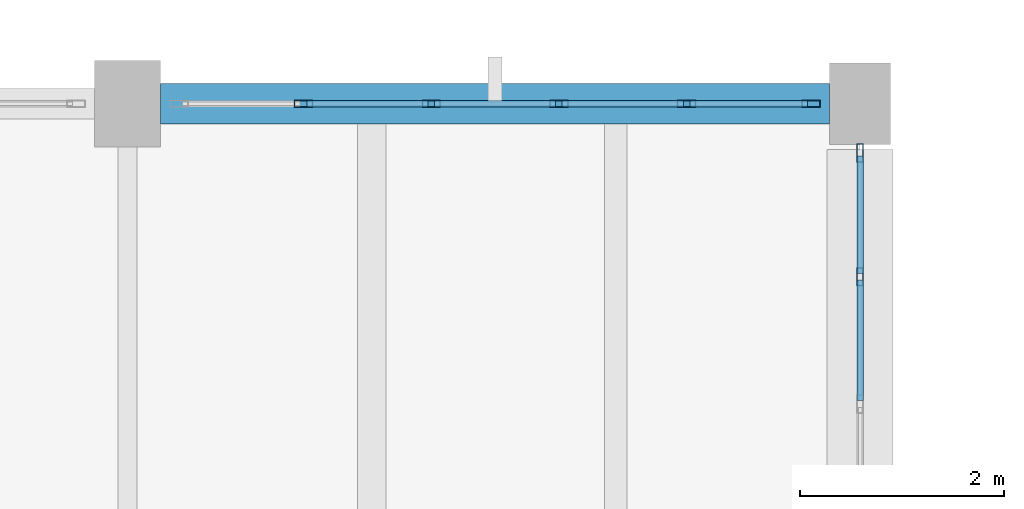
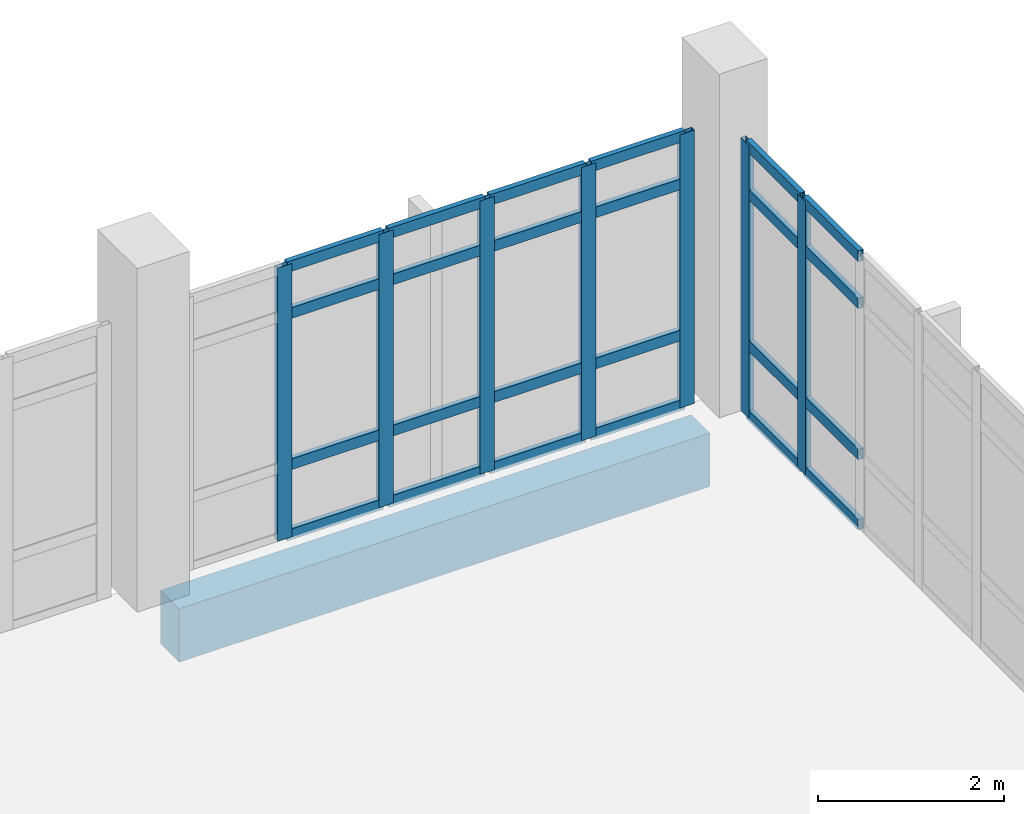
# One storey, part 79 of 134: 31 members, 1 beam, 2 elements without a shape of their own.
"""IFC4 building model written with IfcOpenShell, lengths in metres."""

import ifcopenshell
import ifcopenshell.guid

model = None  # the IFC model being written
_history = None  # IfcOwnerHistory: only IFC2X3 demands one
_inside = {}  # id of a spatial element -> (the spatial element, [elements in it])
_under = {}  # id of a project, library or spatial element -> (it, [spatial elements below it])
_declared = {}  # id of a project -> (the project, [libraries it declares])
_typed = {}  # id of a type object -> (the type object, [elements of that type])
_made_of = {}  # id of a material, layer set ... -> (it, [elements and type objects made of it])


def new_model(schema):
    """Start an empty IFC model of exactly this schema.

    Asked for "IFC4X3", IfcOpenShell would pick the latest addendum, in which some entities
    have other attributes; the version numbers below select the first issue.
    IFC2X3 requires an IfcOwnerHistory on every rooted entity: one is made here for all.
    """
    global model, _history
    if schema == "IFC4X3":
        model = ifcopenshell.file(schema_version=(4, 3, 0, 0))
    else:
        model = ifcopenshell.file(schema=schema)
    _inside.clear()
    _under.clear()
    _declared.clear()
    _typed.clear()
    _made_of.clear()
    _history = None
    if model.schema == "IFC2X3":
        org = make("IfcOrganization", Name="unknown")
        user = make(
            "IfcPersonAndOrganization",
            ThePerson=make("IfcPerson", FamilyName="unknown"),
            TheOrganization=org,
        )
        app = make(
            "IfcApplication",
            ApplicationDeveloper=org,
            Version="unknown",
            ApplicationFullName="unknown",
            ApplicationIdentifier="unknown",
        )
        _history = make(
            "IfcOwnerHistory",
            OwningUser=user,
            OwningApplication=app,
            ChangeAction="ADDED",
            CreationDate=0,
        )
    return model


def make(cls, **values):
    """One entity of the class cls with the attributes given. An attribute that is None is left unset."""
    return model.create_entity(
        cls, **{name: value for name, value in values.items() if value is not None}
    )


def rooted(cls, **values):
    """An entity with a GlobalId (a new one), such as an element, a storey or a relation."""
    return make(cls, GlobalId=ifcopenshell.guid.new(), OwnerHistory=_history, **values)


def si_unit(unit_type, name, prefix=None):
    """IfcSIUnit, for example si_unit("LENGTHUNIT", "METRE", prefix="MILLI")."""
    return make("IfcSIUnit", UnitType=unit_type, Prefix=prefix, Name=name)


def assignment(units):
    """IfcUnitAssignment: the units of a project."""
    return None if units is None else make("IfcUnitAssignment", Units=units)


def point(xyz):
    """IfcCartesianPoint."""
    return None if xyz is None else make("IfcCartesianPoint", Coordinates=xyz)


def direction(xyz):
    """IfcDirection."""
    return None if xyz is None else make("IfcDirection", DirectionRatios=xyz)


def frame(location, z_axis=None, x_axis=None):
    """IfcAxis2Placement3D, a coordinate frame: its origin and axes. An axis left out is left unset."""
    return make(
        "IfcAxis2Placement3D",
        Location=point(location),
        Axis=direction(z_axis),
        RefDirection=direction(x_axis),
    )


def frame_2d(location, x_axis=None):
    """IfcAxis2Placement2D, a coordinate frame in the plane: its origin and x axis."""
    return make(
        "IfcAxis2Placement2D", Location=point(location), RefDirection=direction(x_axis)
    )


def origin():
    """The frame at (0, 0, 0) with its axes left unset."""
    return frame((0.0, 0.0, 0.0))


def origin_2d():
    """The frame at (0, 0) in the plane with its x axis left unset."""
    return frame_2d((0.0, 0.0))


def place(relative_to, where):
    """IfcLocalPlacement: puts the frame where relative to a parent placement (None: the world)."""
    return make(
        "IfcLocalPlacement", PlacementRelTo=relative_to, RelativePlacement=where
    )


def context(
    kind, dimensions, precision=None, world=None, true_north=None, identifier=None
):
    """IfcGeometricRepresentationContext, for example the 3D "Model" context."""
    return make(
        "IfcGeometricRepresentationContext",
        ContextIdentifier=identifier,
        ContextType=kind,
        CoordinateSpaceDimension=dimensions,
        Precision=precision,
        WorldCoordinateSystem=world,
        TrueNorth=true_north,
    )


def subcontext(parent, identifier, kind, view, scale=None):
    """IfcGeometricRepresentationSubContext, for example "Body" below "Model"."""
    return make(
        "IfcGeometricRepresentationSubContext",
        ContextIdentifier=identifier,
        ContextType=kind,
        ParentContext=parent,
        TargetScale=scale,
        TargetView=view,
    )


def project(units=None, contexts=None):
    """IfcProject with its units and contexts."""
    return rooted(
        "IfcProject",
        Name="project",
        RepresentationContexts=contexts,
        UnitsInContext=assignment(units),
    )


def spatial(cls, under=None, at=None, **own):
    """A site, building, storey or space (cls), placed at a placement, below another one or the project."""
    s = rooted(cls, ObjectPlacement=at, **own)
    if under is not None:
        _under.setdefault(under.id(), (under, []))[1].append(s)
    return s


def profile(cls, at=None, kind="AREA", **sizes):
    """A parametric profile (cls). Its sizes go by their IFC names, for example OverallWidth=200.0."""
    return make(cls, ProfileType=kind, Position=at, **sizes)


def rectangle(**sizes):
    """IfcRectangleProfileDef."""
    return profile("IfcRectangleProfileDef", **sizes)


def hollow_rectangle(**sizes):
    """IfcRectangleHollowProfileDef."""
    return profile("IfcRectangleHollowProfileDef", **sizes)


def extrude(swept, where, along, depth):
    """IfcExtrudedAreaSolid: the profile swept, set in the frame where, extruded along a direction by depth."""
    return make(
        "IfcExtrudedAreaSolid",
        SweptArea=swept,
        Position=where,
        ExtrudedDirection=direction(along),
        Depth=depth,
    )


def shape(context_of_items, identifier, shape_type, items):
    """IfcShapeRepresentation: the items that make up one representation, for example the "Body"."""
    return make(
        "IfcShapeRepresentation",
        ContextOfItems=context_of_items,
        RepresentationIdentifier=identifier,
        RepresentationType=shape_type,
        Items=items,
    )


def material(Name=None, Category=None):
    """IfcMaterial."""
    return make("IfcMaterial", Name=Name, Category=Category)


def material_profile(
    of_material, cross_section, Name=None, Category=None, Priority=None
):
    """IfcMaterialProfile: a cross section and its material."""
    return make(
        "IfcMaterialProfile",
        Name=Name,
        Material=of_material,
        Profile=cross_section,
        Priority=Priority,
        Category=Category,
    )


def profile_set(profiles, Name=None, composite=None):
    """IfcMaterialProfileSet."""
    return make(
        "IfcMaterialProfileSet",
        Name=Name,
        MaterialProfiles=profiles,
        CompositeProfile=composite,
    )


def made_of(thing, what):
    """Note that an element or type object is made of a material, layer set ...; save() writes the relation."""
    if what is not None:
        _made_of.setdefault(what.id(), (what, []))[1].append(thing)
    return thing


def type_object(cls, material=None, **own):
    """A type object (cls), such as IfcWallType, which elements share."""
    return made_of(rooted(cls, **own), material)


def element(
    cls,
    number,
    at=None,
    inside=None,
    cuts=None,
    type_object=None,
    material=None,
    context=None,
    identifier="Body",
    shape_type=None,
    held_by="IfcProductDefinitionShape",
    body=None,
    shapes=None,
    **own,
):
    """One element of the class cls, such as IfcWall. Its Tag is "e" and its number.

    at: its placement. inside: the storey or other place that contains it. cuts: it is an
    opening in that element (IfcRelVoidsElement). A single representation is given by context,
    identifier, shape_type and body (its items); several are given by shapes. held_by: the class
    of the entity that holds the representations. save() writes the other relations.
    """
    e = rooted(cls, Tag="e%d" % number, ObjectPlacement=at, **own)
    if body is not None:
        shapes = [shape(context, identifier, shape_type, body)]
    if shapes is not None:
        e.Representation = make(held_by, Representations=shapes)
    if inside is not None:
        _inside.setdefault(inside.id(), (inside, []))[1].append(e)
    if cuts is not None:
        rooted(
            "IfcRelVoidsElement", RelatingBuildingElement=cuts, RelatedOpeningElement=e
        )
    if type_object is not None:
        _typed.setdefault(type_object.id(), (type_object, []))[1].append(e)
    return made_of(e, material)


def aggregate(whole, parts):
    """IfcRelAggregates: a whole, such as a stair, and the parts it consists of."""
    return rooted("IfcRelAggregates", RelatingObject=whole, RelatedObjects=parts)


def save(model, path):
    """Write the relations noted so far, then the file.

    IfcRelAggregates (storeys below a building ...), IfcRelContainedInSpatialStructure (elements
    in a storey), IfcRelDefinesByType, IfcRelAssociatesMaterial and IfcRelDeclares: one each for
    every whole, place, type object, material and project.
    """
    for whole, parts in _under.values():
        aggregate(whole, parts)
    for where, things in _inside.values():
        rooted(
            "IfcRelContainedInSpatialStructure",
            RelatedElements=things,
            RelatingStructure=where,
        )
    for kind, things in _typed.values():
        rooted("IfcRelDefinesByType", RelatedObjects=things, RelatingType=kind)
    for what, things in _made_of.values():
        rooted("IfcRelAssociatesMaterial", RelatedObjects=things, RelatingMaterial=what)
    for by, libraries in _declared.values():
        rooted("IfcRelDeclares", RelatingContext=by, RelatedDefinitions=libraries)
    model.write(path)


model = new_model("IFC4")

# Units and contexts
model_context = context("Model", 3, precision=1e-05, world=origin(), true_north=direction((0.0, 1.0)))
body_context = subcontext(model_context, "Body", "Model", "MODEL_VIEW")
ifc_project = project(units=[si_unit("LENGTHUNIT", "METRE"), si_unit("AREAUNIT", "SQUARE_METRE"), si_unit("VOLUMEUNIT", "CUBIC_METRE"), si_unit("PLANEANGLEUNIT", "RADIAN"), si_unit("MASSUNIT", "GRAM", prefix="KILO")], contexts=[model_context])

# Site, building, storey
site_placement = place(None, origin())
site = spatial("IfcSite", under=ifc_project, at=site_placement, CompositionType="ELEMENT")
building_placement = place(site_placement, origin())
building = spatial("IfcBuilding", under=site, at=building_placement, Name="Kalluvel Institute of Natural Sciences", CompositionType="ELEMENT")
storey_placement = place(building_placement, frame((0.0, 0.0, 5.39990234375)))
storey = spatial("IfcBuildingStorey", under=building, at=storey_placement, Name="L01", CompositionType="ELEMENT", Elevation=5.39990234375)

# Curtain wall, members
ifc_material_1 = material(Name="Aluminium AW-6063 T6", Category="aluminium")
curtain_wall_type = type_object("IfcCurtainWallType", Name="CW-WET-45", PredefinedType="USERDEFINED", material=ifc_material_1)
curtain_wall_1_placement = place(storey_placement, origin())
curtain_wall_1 = element("IfcCurtainWall", 1, at=curtain_wall_1_placement, inside=storey, type_object=curtain_wall_type, Name="L01 Gothic lancet curtain wall CWA-L01-X1081-Y1280", ObjectType="UNITISED LANCET FACADE", PredefinedType="USERDEFINED")
ifc_material_profile_1 = material_profile(ifc_material_1, hollow_rectangle(XDim=0.06494140625, YDim=0.179931640625, WallThickness=0.00439453125, at=origin_2d()), Name="CWM 65x180")
ifc_profile_set_1 = profile_set([ifc_material_profile_1], Name="Aluminium AW-6063 T6")
member_type_1 = type_object("IfcMemberType", Name="CWM-65x180", PredefinedType="MULLION", material=ifc_profile_set_1)
member_1_placement = place(storey_placement, frame((109.330078125, 128.0, 0.0), z_axis=(0.0, 0.0, 1.0), x_axis=(0.0, 1.0, 0.0)))
member_1 = element("IfcMember", 2, at=member_1_placement, type_object=member_type_1, Name="CW-01 mullion 2", PredefinedType="MULLION", context=body_context, shape_type="SweptSolid", body=[
    extrude(hollow_rectangle(XDim=0.06494140625, YDim=0.179931640625, WallThickness=0.00439453125, at=origin_2d()), origin(), (0.0, 0.0, 1.0), 3.580078125),
])
member_2_placement = place(storey_placement, frame((110.5849609375, 128.0, 0.0), z_axis=(0.0, 0.0, 1.0), x_axis=(0.0, 1.0, 0.0)))
member_2 = element("IfcMember", 3, at=member_2_placement, type_object=member_type_1, Name="CW-01 mullion 3", PredefinedType="MULLION", context=body_context, shape_type="SweptSolid", body=[
    extrude(hollow_rectangle(XDim=0.06494140625, YDim=0.179931640625, WallThickness=0.00439453125, at=origin_2d()), origin(), (0.0, 0.0, 1.0), 3.580078125),
])
member_3_placement = place(storey_placement, frame((111.840087890625, 128.0, 0.0), z_axis=(0.0, 0.0, 1.0), x_axis=(0.0, 1.0, 0.0)))
member_3 = element("IfcMember", 4, at=member_3_placement, type_object=member_type_1, Name="CW-01 mullion 4", PredefinedType="MULLION", context=body_context, shape_type="SweptSolid", body=[
    extrude(hollow_rectangle(XDim=0.06494140625, YDim=0.179931640625, WallThickness=0.00439453125, at=origin_2d()), origin(), (0.0, 0.0, 1.0), 3.580078125),
])
member_4_placement = place(storey_placement, frame((113.094970703125, 128.0, 0.0), z_axis=(0.0, 0.0, 1.0), x_axis=(0.0, 1.0, 0.0)))
member_4 = element("IfcMember", 5, at=member_4_placement, type_object=member_type_1, Name="CW-01 mullion 5", PredefinedType="MULLION", context=body_context, shape_type="SweptSolid", body=[
    extrude(hollow_rectangle(XDim=0.06494140625, YDim=0.179931640625, WallThickness=0.00439453125, at=origin_2d()), origin(), (0.0, 0.0, 1.0), 3.580078125),
])
member_5_placement = place(storey_placement, frame((114.3173828125, 128.0, 0.0), z_axis=(0.0, 0.0, 1.0), x_axis=(0.0, 1.0, 0.0)))
member_5 = element("IfcMember", 6, at=member_5_placement, type_object=member_type_1, Name="CW-01 mullion 6", PredefinedType="MULLION", context=body_context, shape_type="SweptSolid", body=[
    extrude(hollow_rectangle(XDim=0.06494140625, YDim=0.179931640625, WallThickness=0.00439453125, at=origin_2d()), origin(), (0.0, 0.0, 1.0), 3.580078125),
])

curtain_wall_2_placement = place(storey_placement, origin())
curtain_wall_2 = element("IfcCurtainWall", 7, at=curtain_wall_2_placement, inside=storey, type_object=curtain_wall_type, Name="L01 Gothic lancet curtain wall CWA-L01-X1148-Y1200", ObjectType="UNITISED LANCET FACADE", PredefinedType="USERDEFINED")
member_6_placement = place(storey_placement, frame((114.800048828125, 126.300048828125, 0.0), z_axis=(0.0, 0.0, 1.0), x_axis=(-1.0, 0.0, 0.0)))
member_6 = element("IfcMember", 8, at=member_6_placement, type_object=member_type_1, Name="CW-01 mullion 6", PredefinedType="MULLION", context=body_context, shape_type="SweptSolid", body=[
    extrude(hollow_rectangle(XDim=0.06494140625, YDim=0.179931640625, WallThickness=0.00439453125, at=origin_2d()), origin(), (0.0, 0.0, 1.0), 3.580078125),
])
member_7_placement = place(storey_placement, frame((114.800048828125, 127.517578125, 0.0), z_axis=(0.0, 0.0, 1.0), x_axis=(-1.0, 0.0, 0.0)))
member_7 = element("IfcMember", 9, at=member_7_placement, type_object=member_type_1, Name="CW-01 mullion 7", PredefinedType="MULLION", context=body_context, shape_type="SweptSolid", body=[
    extrude(hollow_rectangle(XDim=0.06494140625, YDim=0.179931640625, WallThickness=0.00439453125, at=origin_2d()), origin(), (0.0, 0.0, 1.0), 3.580078125),
])

# Member
ifc_material_profile_2 = material_profile(ifc_material_1, hollow_rectangle(XDim=0.06494140625, YDim=0.139892578125, WallThickness=0.00439453125, at=origin_2d()), Name="CWT 65x140")
ifc_profile_set_2 = profile_set([ifc_material_profile_2], Name="Aluminium AW-6063 T6")
member_type_2 = type_object("IfcMemberType", Name="CWT-65x140", PredefinedType="USERDEFINED", material=ifc_profile_set_2)
member_8_placement = place(storey_placement, frame((109.362548828125, 128.0, 0.03271484375), z_axis=(1.0, 0.0, 0.0), x_axis=(0.0, 1.0, 0.0)))
member_8 = element("IfcMember", 10, at=member_8_placement, type_object=member_type_2, Name="CW-01 transom 2.1", ObjectType="TRANSOM", PredefinedType="USERDEFINED", context=body_context, shape_type="SweptSolid", body=[
    extrude(hollow_rectangle(XDim=0.06494140625, YDim=0.139892578125, WallThickness=0.00439453125, at=origin_2d()), origin(), (0.0, 0.0, 1.0), 1.18994140625),
])

member_9_placement = place(storey_placement, frame((109.362548828125, 128.0, 0.9501953125), z_axis=(1.0, 0.0, 0.0), x_axis=(0.0, 1.0, 0.0)))
member_9 = element("IfcMember", 11, at=member_9_placement, type_object=member_type_2, Name="CW-01 transom 2.2", ObjectType="TRANSOM", PredefinedType="USERDEFINED", context=body_context, shape_type="SweptSolid", body=[
    extrude(hollow_rectangle(XDim=0.06494140625, YDim=0.139892578125, WallThickness=0.00439453125, at=origin_2d()), origin(), (0.0, 0.0, 1.0), 1.18994140625),
])

member_10_placement = place(storey_placement, frame((109.362548828125, 128.0, 2.93017578125), z_axis=(1.0, 0.0, 0.0), x_axis=(0.0, 1.0, 0.0)))
member_10 = element("IfcMember", 12, at=member_10_placement, type_object=member_type_2, Name="CW-01 transom 2.3", ObjectType="TRANSOM", PredefinedType="USERDEFINED", context=body_context, shape_type="SweptSolid", body=[
    extrude(hollow_rectangle(XDim=0.06494140625, YDim=0.139892578125, WallThickness=0.00439453125, at=origin_2d()), origin(), (0.0, 0.0, 1.0), 1.18994140625),
])

member_11_placement = place(storey_placement, frame((109.362548828125, 128.0, 3.547607421875), z_axis=(1.0, 0.0, 0.0), x_axis=(0.0, 1.0, 0.0)))
member_11 = element("IfcMember", 13, at=member_11_placement, type_object=member_type_2, Name="CW-01 transom 2.4", ObjectType="TRANSOM", PredefinedType="USERDEFINED", context=body_context, shape_type="SweptSolid", body=[
    extrude(hollow_rectangle(XDim=0.06494140625, YDim=0.139892578125, WallThickness=0.00439453125, at=origin_2d()), origin(), (0.0, 0.0, 1.0), 1.18994140625),
])

member_12_placement = place(storey_placement, frame((110.617431640625, 128.0, 0.03271484375), z_axis=(1.0, 0.0, 0.0), x_axis=(0.0, 1.0, 0.0)))
member_12 = element("IfcMember", 14, at=member_12_placement, type_object=member_type_2, Name="CW-01 transom 3.1", ObjectType="TRANSOM", PredefinedType="USERDEFINED", context=body_context, shape_type="SweptSolid", body=[
    extrude(hollow_rectangle(XDim=0.06494140625, YDim=0.139892578125, WallThickness=0.00439453125, at=origin_2d()), origin(), (0.0, 0.0, 1.0), 1.190185546875),
])

member_13_placement = place(storey_placement, frame((110.617431640625, 128.0, 0.9501953125), z_axis=(1.0, 0.0, 0.0), x_axis=(0.0, 1.0, 0.0)))
member_13 = element("IfcMember", 15, at=member_13_placement, type_object=member_type_2, Name="CW-01 transom 3.2", ObjectType="TRANSOM", PredefinedType="USERDEFINED", context=body_context, shape_type="SweptSolid", body=[
    extrude(hollow_rectangle(XDim=0.06494140625, YDim=0.139892578125, WallThickness=0.00439453125, at=origin_2d()), origin(), (0.0, 0.0, 1.0), 1.190185546875),
])

member_14_placement = place(storey_placement, frame((110.617431640625, 128.0, 2.93017578125), z_axis=(1.0, 0.0, 0.0), x_axis=(0.0, 1.0, 0.0)))
member_14 = element("IfcMember", 16, at=member_14_placement, type_object=member_type_2, Name="CW-01 transom 3.3", ObjectType="TRANSOM", PredefinedType="USERDEFINED", context=body_context, shape_type="SweptSolid", body=[
    extrude(hollow_rectangle(XDim=0.06494140625, YDim=0.139892578125, WallThickness=0.00439453125, at=origin_2d()), origin(), (0.0, 0.0, 1.0), 1.190185546875),
])

member_15_placement = place(storey_placement, frame((110.617431640625, 128.0, 3.547607421875), z_axis=(1.0, 0.0, 0.0), x_axis=(0.0, 1.0, 0.0)))
member_15 = element("IfcMember", 17, at=member_15_placement, type_object=member_type_2, Name="CW-01 transom 3.4", ObjectType="TRANSOM", PredefinedType="USERDEFINED", context=body_context, shape_type="SweptSolid", body=[
    extrude(hollow_rectangle(XDim=0.06494140625, YDim=0.139892578125, WallThickness=0.00439453125, at=origin_2d()), origin(), (0.0, 0.0, 1.0), 1.190185546875),
])

member_16_placement = place(storey_placement, frame((111.87255859375, 128.0, 0.03271484375), z_axis=(1.0, 0.0, 0.0), x_axis=(0.0, 1.0, 0.0)))
member_16 = element("IfcMember", 18, at=member_16_placement, type_object=member_type_2, Name="CW-01 transom 4.1", ObjectType="TRANSOM", PredefinedType="USERDEFINED", context=body_context, shape_type="SweptSolid", body=[
    extrude(hollow_rectangle(XDim=0.06494140625, YDim=0.139892578125, WallThickness=0.00439453125, at=origin_2d()), origin(), (0.0, 0.0, 1.0), 1.18994140625),
])

member_17_placement = place(storey_placement, frame((111.87255859375, 128.0, 0.9501953125), z_axis=(1.0, 0.0, 0.0), x_axis=(0.0, 1.0, 0.0)))
member_17 = element("IfcMember", 19, at=member_17_placement, type_object=member_type_2, Name="CW-01 transom 4.2", ObjectType="TRANSOM", PredefinedType="USERDEFINED", context=body_context, shape_type="SweptSolid", body=[
    extrude(hollow_rectangle(XDim=0.06494140625, YDim=0.139892578125, WallThickness=0.00439453125, at=origin_2d()), origin(), (0.0, 0.0, 1.0), 1.18994140625),
])

member_18_placement = place(storey_placement, frame((111.87255859375, 128.0, 2.93017578125), z_axis=(1.0, 0.0, 0.0), x_axis=(0.0, 1.0, 0.0)))
member_18 = element("IfcMember", 20, at=member_18_placement, type_object=member_type_2, Name="CW-01 transom 4.3", ObjectType="TRANSOM", PredefinedType="USERDEFINED", context=body_context, shape_type="SweptSolid", body=[
    extrude(hollow_rectangle(XDim=0.06494140625, YDim=0.139892578125, WallThickness=0.00439453125, at=origin_2d()), origin(), (0.0, 0.0, 1.0), 1.18994140625),
])

member_19_placement = place(storey_placement, frame((111.87255859375, 128.0, 3.547607421875), z_axis=(1.0, 0.0, 0.0), x_axis=(0.0, 1.0, 0.0)))
member_19 = element("IfcMember", 21, at=member_19_placement, type_object=member_type_2, Name="CW-01 transom 4.4", ObjectType="TRANSOM", PredefinedType="USERDEFINED", context=body_context, shape_type="SweptSolid", body=[
    extrude(hollow_rectangle(XDim=0.06494140625, YDim=0.139892578125, WallThickness=0.00439453125, at=origin_2d()), origin(), (0.0, 0.0, 1.0), 1.18994140625),
])

member_20_placement = place(storey_placement, frame((113.12744140625, 128.0, 0.03271484375), z_axis=(1.0, 0.0, 0.0), x_axis=(0.0, 1.0, 0.0)))
member_20 = element("IfcMember", 22, at=member_20_placement, type_object=member_type_2, Name="CW-01 transom 5.1", ObjectType="TRANSOM", PredefinedType="USERDEFINED", context=body_context, shape_type="SweptSolid", body=[
    extrude(hollow_rectangle(XDim=0.06494140625, YDim=0.139892578125, WallThickness=0.00439453125, at=origin_2d()), origin(), (0.0, 0.0, 1.0), 1.157470703125),
])

member_21_placement = place(storey_placement, frame((113.12744140625, 128.0, 0.9501953125), z_axis=(1.0, 0.0, 0.0), x_axis=(0.0, 1.0, 0.0)))
member_21 = element("IfcMember", 23, at=member_21_placement, type_object=member_type_2, Name="CW-01 transom 5.2", ObjectType="TRANSOM", PredefinedType="USERDEFINED", context=body_context, shape_type="SweptSolid", body=[
    extrude(hollow_rectangle(XDim=0.06494140625, YDim=0.139892578125, WallThickness=0.00439453125, at=origin_2d()), origin(), (0.0, 0.0, 1.0), 1.157470703125),
])

member_22_placement = place(storey_placement, frame((113.12744140625, 128.0, 2.93017578125), z_axis=(1.0, 0.0, 0.0), x_axis=(0.0, 1.0, 0.0)))
member_22 = element("IfcMember", 24, at=member_22_placement, type_object=member_type_2, Name="CW-01 transom 5.3", ObjectType="TRANSOM", PredefinedType="USERDEFINED", context=body_context, shape_type="SweptSolid", body=[
    extrude(hollow_rectangle(XDim=0.06494140625, YDim=0.139892578125, WallThickness=0.00439453125, at=origin_2d()), origin(), (0.0, 0.0, 1.0), 1.157470703125),
])

member_23_placement = place(storey_placement, frame((113.12744140625, 128.0, 3.547607421875), z_axis=(1.0, 0.0, 0.0), x_axis=(0.0, 1.0, 0.0)))
member_23 = element("IfcMember", 25, at=member_23_placement, type_object=member_type_2, Name="CW-01 transom 5.4", ObjectType="TRANSOM", PredefinedType="USERDEFINED", context=body_context, shape_type="SweptSolid", body=[
    extrude(hollow_rectangle(XDim=0.06494140625, YDim=0.139892578125, WallThickness=0.00439453125, at=origin_2d()), origin(), (0.0, 0.0, 1.0), 1.157470703125),
])

aggregate(curtain_wall_1, [member_1, member_2, member_3, member_4, member_5, member_8, member_9, member_10, member_11, member_12, member_13, member_14, member_15, member_16, member_17, member_18, member_19, member_20, member_21, member_22, member_23])

member_24_placement = place(storey_placement, frame((114.800048828125, 125.08251953125, 0.03271484375), z_axis=(0.0, 1.0, 0.0), x_axis=(-1.0, 0.0, 0.0)))
member_24 = element("IfcMember", 26, at=member_24_placement, type_object=member_type_2, Name="CW-01 transom 5.1", ObjectType="TRANSOM", PredefinedType="USERDEFINED", context=body_context, shape_type="SweptSolid", body=[
    extrude(hollow_rectangle(XDim=0.06494140625, YDim=0.139892578125, WallThickness=0.00439453125, at=origin_2d()), origin(), (0.0, 0.0, 1.0), 1.18505859375),
])

member_25_placement = place(storey_placement, frame((114.800048828125, 125.08251953125, 0.9501953125), z_axis=(0.0, 1.0, 0.0), x_axis=(-1.0, 0.0, 0.0)))
member_25 = element("IfcMember", 27, at=member_25_placement, type_object=member_type_2, Name="CW-01 transom 5.2", ObjectType="TRANSOM", PredefinedType="USERDEFINED", context=body_context, shape_type="SweptSolid", body=[
    extrude(hollow_rectangle(XDim=0.06494140625, YDim=0.139892578125, WallThickness=0.00439453125, at=origin_2d()), origin(), (0.0, 0.0, 1.0), 1.18505859375),
])

member_26_placement = place(storey_placement, frame((114.800048828125, 125.08251953125, 2.93017578125), z_axis=(0.0, 1.0, 0.0), x_axis=(-1.0, 0.0, 0.0)))
member_26 = element("IfcMember", 28, at=member_26_placement, type_object=member_type_2, Name="CW-01 transom 5.3", ObjectType="TRANSOM", PredefinedType="USERDEFINED", context=body_context, shape_type="SweptSolid", body=[
    extrude(hollow_rectangle(XDim=0.06494140625, YDim=0.139892578125, WallThickness=0.00439453125, at=origin_2d()), origin(), (0.0, 0.0, 1.0), 1.18505859375),
])

member_27_placement = place(storey_placement, frame((114.800048828125, 125.08251953125, 3.547607421875), z_axis=(0.0, 1.0, 0.0), x_axis=(-1.0, 0.0, 0.0)))
member_27 = element("IfcMember", 29, at=member_27_placement, type_object=member_type_2, Name="CW-01 transom 5.4", ObjectType="TRANSOM", PredefinedType="USERDEFINED", context=body_context, shape_type="SweptSolid", body=[
    extrude(hollow_rectangle(XDim=0.06494140625, YDim=0.139892578125, WallThickness=0.00439453125, at=origin_2d()), origin(), (0.0, 0.0, 1.0), 1.18505859375),
])

member_28_placement = place(storey_placement, frame((114.800048828125, 126.33251953125, 0.03271484375), z_axis=(0.0, 1.0, 0.0), x_axis=(-1.0, 0.0, 0.0)))
member_28 = element("IfcMember", 30, at=member_28_placement, type_object=member_type_2, Name="CW-01 transom 6.1", ObjectType="TRANSOM", PredefinedType="USERDEFINED", context=body_context, shape_type="SweptSolid", body=[
    extrude(hollow_rectangle(XDim=0.06494140625, YDim=0.139892578125, WallThickness=0.00439453125, at=origin_2d()), origin(), (0.0, 0.0, 1.0), 1.152587890625),
])

member_29_placement = place(storey_placement, frame((114.800048828125, 126.33251953125, 0.9501953125), z_axis=(0.0, 1.0, 0.0), x_axis=(-1.0, 0.0, 0.0)))
member_29 = element("IfcMember", 31, at=member_29_placement, type_object=member_type_2, Name="CW-01 transom 6.2", ObjectType="TRANSOM", PredefinedType="USERDEFINED", context=body_context, shape_type="SweptSolid", body=[
    extrude(hollow_rectangle(XDim=0.06494140625, YDim=0.139892578125, WallThickness=0.00439453125, at=origin_2d()), origin(), (0.0, 0.0, 1.0), 1.152587890625),
])

member_30_placement = place(storey_placement, frame((114.800048828125, 126.33251953125, 2.93017578125), z_axis=(0.0, 1.0, 0.0), x_axis=(-1.0, 0.0, 0.0)))
member_30 = element("IfcMember", 32, at=member_30_placement, type_object=member_type_2, Name="CW-01 transom 6.3", ObjectType="TRANSOM", PredefinedType="USERDEFINED", context=body_context, shape_type="SweptSolid", body=[
    extrude(hollow_rectangle(XDim=0.06494140625, YDim=0.139892578125, WallThickness=0.00439453125, at=origin_2d()), origin(), (0.0, 0.0, 1.0), 1.152587890625),
])

member_31_placement = place(storey_placement, frame((114.800048828125, 126.33251953125, 3.547607421875), z_axis=(0.0, 1.0, 0.0), x_axis=(-1.0, 0.0, 0.0)))
member_31 = element("IfcMember", 33, at=member_31_placement, type_object=member_type_2, Name="CW-01 transom 6.4", ObjectType="TRANSOM", PredefinedType="USERDEFINED", context=body_context, shape_type="SweptSolid", body=[
    extrude(hollow_rectangle(XDim=0.06494140625, YDim=0.139892578125, WallThickness=0.00439453125, at=origin_2d()), origin(), (0.0, 0.0, 1.0), 1.152587890625),
])

aggregate(curtain_wall_2, [member_6, member_7, member_24, member_25, member_26, member_27, member_28, member_29, member_30, member_31])

# Beam
ifc_material_2 = material(Name="Concrete M40", Category="concrete")
ifc_material_profile_3 = material_profile(ifc_material_2, rectangle(XDim=0.39990234375, YDim=0.699951171875, at=origin_2d()), Name="RCB 400x700")
ifc_profile_set_3 = profile_set([ifc_material_profile_3], Name="Concrete M40")
beam_type = type_object("IfcBeamType", Name="SP-RC400x700", PredefinedType="SPANDREL", material=ifc_profile_set_3)
beam_placement = place(storey_placement, frame((107.925048828125, 128.0, -0.669921875), z_axis=(1.0, 0.0, 0.0), x_axis=(0.0, 1.0, 0.0)))
element("IfcBeam", 34, at=beam_placement, inside=storey, type_object=beam_type, Name="L01 girder GIR-L01-EW-X1076-Y1280", PredefinedType="SPANDREL", context=body_context, shape_type="SweptSolid", body=[
    extrude(rectangle(XDim=0.39990234375, YDim=0.699951171875, at=origin_2d()), origin(), (0.0, 0.0, 1.0), 6.574951171875),
])

save(model, "model.ifc")
